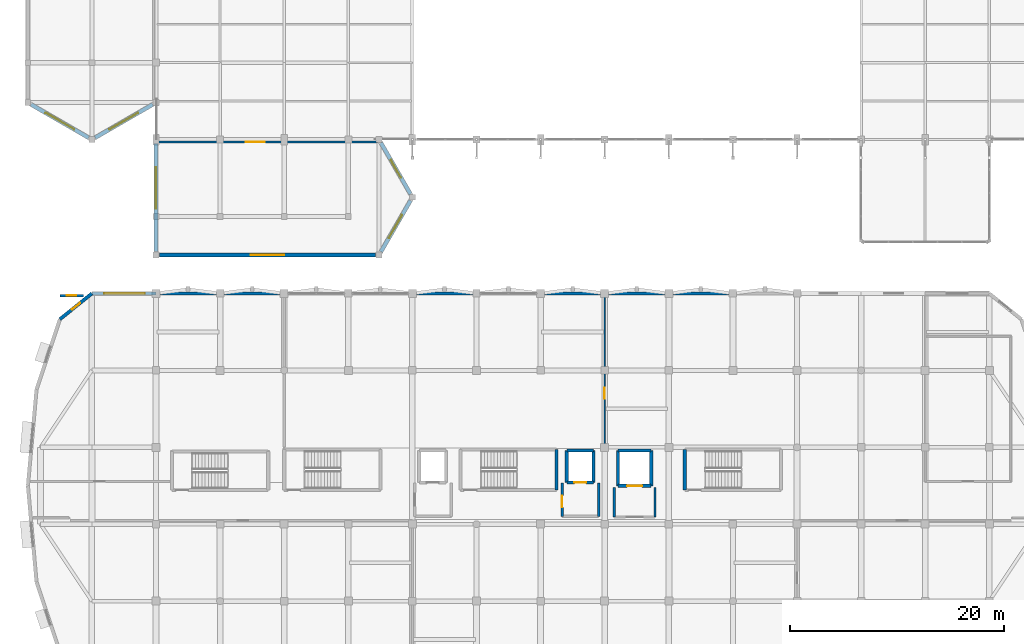
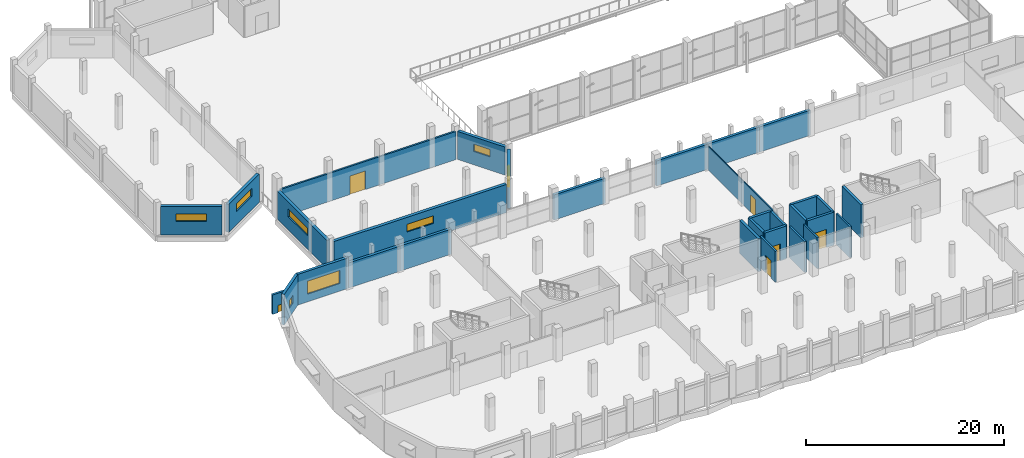
# One storey, part 106 of 127: 31 walls, 8 windows, 6 doors, 14 openings.
"""IFC4 building model written with IfcOpenShell, lengths in metres."""

from ifc_helpers import new_model, si_unit, direction, frame, frame_2d, origin, place, context, subcontext, project, spatial, rectangle, extrude, material, layer, layer_set, type_object, element, fill, save


model = new_model("IFC4")

# Units and contexts
model_context = context("Model", 3, precision=1e-05, world=origin(), true_north=direction((0.0, 1.0)))
body_context = subcontext(model_context, "Body", "Model", "MODEL_VIEW")
ifc_project = project(units=[si_unit("LENGTHUNIT", "METRE"), si_unit("AREAUNIT", "SQUARE_METRE"), si_unit("VOLUMEUNIT", "CUBIC_METRE"), si_unit("PLANEANGLEUNIT", "RADIAN"), si_unit("MASSUNIT", "GRAM", prefix="KILO")], contexts=[model_context])

# Site, building, storey
site_placement = place(None, origin())
site = spatial("IfcSite", under=ifc_project, at=site_placement, CompositionType="ELEMENT")
building_placement = place(site_placement, origin())
building = spatial("IfcBuilding", under=site, at=building_placement, Name="Dunvalen Ferry Terminal", CompositionType="ELEMENT")
storey_placement = place(building_placement, frame((0.0, 0.0, 5.760009765625)))
storey = spatial("IfcBuildingStorey", under=building, at=storey_placement, Name="L01", CompositionType="ELEMENT", Elevation=5.760009765625)

# Wall, opening, window
ifc_material_1 = material(Name="Precast concrete C40/50", Category="concrete")
ifc_layer_1 = layer(ifc_material_1, 0.360107421875, Name="Precast concrete C40/50")
ifc_layer_set_1 = layer_set([ifc_layer_1], Name="Precast concrete C40/50")
wall_type_1 = type_object("IfcWallType", Name="ENV-WL-ANX360", PredefinedType="SOLIDWALL", material=ifc_layer_set_1)
wall_1_placement = place(storey_placement, frame((6.302978515625, 50.574951171875, 0.0), z_axis=(0.0, 0.0, 1.0), x_axis=(0.866025010818, 0.500000680637, 0.0)))
wall_1 = element("IfcWall", 1, at=wall_1_placement, inside=storey, type_object=wall_type_1, Name="L01 V1AW Faceted Precast Wall 01", PredefinedType="SOLIDWALL", context=body_context, shape_type="SweptSolid", body=[
    extrude(rectangle(XDim=6.228515625, YDim=0.360107421875, at=frame_2d((3.1142578125, 0.0))), origin(), (0.0, 0.0, 1.0), 3.469970703125),
])
opening_1_placement = place(wall_1_placement, frame((1.564208984375, 0.0, 1.64990234375)))
opening_1 = element("IfcOpeningElement", 2, at=opening_1_placement, cuts=wall_1, Name="Opening W-14", PredefinedType="OPENING", context=body_context, shape_type="SweptSolid", body=[
    extrude(rectangle(XDim=3.10009765625, YDim=0.949951171875, at=frame_2d((1.550048828125, 0.47509765625))), frame((0.0, 0.18994140625, 0.0), z_axis=(0.0, -1.0, 0.0), x_axis=(1.0, 0.0, 0.0)), (0.0, 0.0, 1.0), 0.380126953125),
])
ifc_material_2 = material(Name="Thermally broken aluminium and double glazing", Category="aluminium")
window_type_1 = type_object("IfcWindowType", Name="ENV-WIN-CLR-14", PartitioningType="SINGLE_PANEL", PredefinedType="WINDOW", material=ifc_material_2)
window_1_placement = place(opening_1_placement, origin())
window_1 = element("IfcWindow", 3, at=window_1_placement, inside=storey, type_object=window_type_1, Name="L01 V1AW Clerestory Window 01", OverallHeight=0.949951171875, OverallWidth=3.10009765625, PartitioningType="SINGLE_PANEL", PredefinedType="WINDOW", context=body_context, shape_type="SweptSolid", body=[
    extrude(rectangle(XDim=3.10009765625, YDim=0.949951171875, at=frame_2d((1.550048828125, 0.47509765625))), frame((0.0, 0.030029296875, 0.0), z_axis=(0.0, -1.0, 0.0), x_axis=(1.0, 0.0, 0.0)), (0.0, 0.0, 1.0), 0.06005859375),
])
fill(opening_1, window_1)

wall_2_placement = place(storey_placement, frame((0.302978515625, 53.689208984375, 0.0), z_axis=(0.0, 0.0, 1.0), x_axis=(0.866025010818, -0.500000680637, 0.0)))
wall_2 = element("IfcWall", 4, at=wall_2_placement, inside=storey, type_object=wall_type_1, Name="L01 V1AW Faceted Precast Wall 06", PredefinedType="SOLIDWALL", context=body_context, shape_type="SweptSolid", body=[
    extrude(rectangle(XDim=6.228515625, YDim=0.360107421875, at=frame_2d((3.1142578125, 0.0))), origin(), (0.0, 0.0, 1.0), 3.469970703125),
])
opening_2_placement = place(wall_2_placement, frame((1.564208984375, 0.0, 1.64990234375)))
opening_2 = element("IfcOpeningElement", 5, at=opening_2_placement, cuts=wall_2, Name="Opening W-14", PredefinedType="OPENING", context=body_context, shape_type="SweptSolid", body=[
    extrude(rectangle(XDim=3.10009765625, YDim=0.949951171875, at=frame_2d((1.550048828125, 0.47509765625))), frame((0.0, 0.18994140625, 0.0), z_axis=(0.0, -1.0, 0.0), x_axis=(1.0, 0.0, 0.0)), (0.0, 0.0, 1.0), 0.380126953125),
])
window_2_placement = place(opening_2_placement, origin())
window_2 = element("IfcWindow", 6, at=window_2_placement, inside=storey, type_object=window_type_1, Name="L01 V1AW Clerestory Window 06", OverallHeight=0.949951171875, OverallWidth=3.10009765625, PartitioningType="SINGLE_PANEL", PredefinedType="WINDOW", context=body_context, shape_type="SweptSolid", body=[
    extrude(rectangle(XDim=3.10009765625, YDim=0.949951171875, at=frame_2d((1.550048828125, 0.47509765625))), frame((0.0, 0.030029296875, 0.0), z_axis=(0.0, -1.0, 0.0), x_axis=(1.0, 0.0, 0.0)), (0.0, 0.0, 1.0), 0.06005859375),
])
fill(opening_2, window_2)

wall_3_placement = place(storey_placement, frame((12.35009765625, 39.60009765625, 0.0), z_axis=(0.0, 0.0, 1.0), x_axis=(1.0, 0.0, 0.0)))
wall_3 = element("IfcWall", 7, at=wall_3_placement, inside=storey, type_object=wall_type_1, Name="L01 V1ASW Faceted Precast Wall 01", PredefinedType="SOLIDWALL", context=body_context, shape_type="SweptSolid", body=[
    extrude(rectangle(XDim=20.18212890625, YDim=0.360107421875, at=frame_2d((10.091064453125, 0.0))), origin(), (0.0, 0.0, 1.0), 3.469970703125),
])
opening_3_placement = place(wall_3_placement, frame((8.541015625, 0.0, 1.64990234375)))
opening_3 = element("IfcOpeningElement", 8, at=opening_3_placement, cuts=wall_3, Name="Opening W-14", PredefinedType="OPENING", context=body_context, shape_type="SweptSolid", body=[
    extrude(rectangle(XDim=3.10009765625, YDim=0.949951171875, at=frame_2d((1.550048828125, 0.47509765625))), frame((0.0, 0.18994140625, 0.0), z_axis=(0.0, -1.0, 0.0), x_axis=(1.0, 0.0, 0.0)), (0.0, 0.0, 1.0), 0.380126953125),
])
window_3_placement = place(opening_3_placement, origin())
window_3 = element("IfcWindow", 9, at=window_3_placement, inside=storey, type_object=window_type_1, Name="L01 V1ASW Clerestory Window 01", OverallHeight=0.949951171875, OverallWidth=3.10009765625, PartitioningType="SINGLE_PANEL", PredefinedType="WINDOW", context=body_context, shape_type="SweptSolid", body=[
    extrude(rectangle(XDim=3.10009765625, YDim=0.949951171875, at=frame_2d((1.550048828125, 0.47509765625))), frame((0.0, 0.030029296875, 0.0), z_axis=(0.0, -1.0, 0.0), x_axis=(1.0, 0.0, 0.0)), (0.0, 0.0, 1.0), 0.06005859375),
])
fill(opening_3, window_3)

wall_4_placement = place(storey_placement, frame((33.057373046875, 39.903076171875, 0.0), z_axis=(0.0, 0.0, 1.0), x_axis=(0.499971886711, 0.866041634391, 0.0)))
wall_4 = element("IfcWall", 10, at=wall_4_placement, inside=storey, type_object=wall_type_1, Name="L01 V1ASW Faceted Precast Wall 02", PredefinedType="SOLIDWALL", context=body_context, shape_type="SweptSolid", body=[
    extrude(rectangle(XDim=5.535400390625, YDim=0.360107421875, at=frame_2d((2.767578125, 0.0))), origin(), (0.0, 0.0, 1.0), 3.469970703125),
])
opening_4_placement = place(wall_4_placement, frame((1.465576171875, 0.0, 1.64990234375)))
opening_4 = element("IfcOpeningElement", 11, at=opening_4_placement, cuts=wall_4, Name="Opening W-15", PredefinedType="OPENING", context=body_context, shape_type="SweptSolid", body=[
    extrude(rectangle(XDim=2.5, YDim=0.89990234375, at=frame_2d((1.25, 0.449951171875))), frame((0.0, 0.18994140625, 0.0), z_axis=(0.0, -1.0, 0.0), x_axis=(1.0, 0.0, 0.0)), (0.0, 0.0, 1.0), 0.380126953125),
])
window_type_2 = type_object("IfcWindowType", Name="ENV-WIN-CLR-15", PartitioningType="SINGLE_PANEL", PredefinedType="WINDOW", material=ifc_material_2)
window_4_placement = place(opening_4_placement, origin())
window_4 = element("IfcWindow", 12, at=window_4_placement, inside=storey, type_object=window_type_2, Name="L01 V1ASW Clerestory Window 02", OverallHeight=0.89990234375, OverallWidth=2.5, PartitioningType="SINGLE_PANEL", PredefinedType="WINDOW", context=body_context, shape_type="SweptSolid", body=[
    extrude(rectangle(XDim=2.5, YDim=0.89990234375, at=frame_2d((1.25, 0.449951171875))), frame((0.0, 0.030029296875, 0.0), z_axis=(0.0, -1.0, 0.0), x_axis=(1.0, 0.0, 0.0)), (0.0, 0.0, 1.0), 0.06005859375),
])
fill(opening_4, window_4)

wall_5_placement = place(storey_placement, frame((35.824951171875, 45.302978515625, 0.0), z_axis=(0.0, 0.0, 1.0), x_axis=(-0.499971886711, 0.866041634391, 0.0)))
wall_5 = element("IfcWall", 13, at=wall_5_placement, inside=storey, type_object=wall_type_1, Name="L01 V1ASW Faceted Precast Wall 03", PredefinedType="SOLIDWALL", context=body_context, shape_type="SweptSolid", body=[
    extrude(rectangle(XDim=5.535400390625, YDim=0.360107421875, at=frame_2d((2.767578125, 0.0))), origin(), (0.0, 0.0, 1.0), 3.469970703125),
])
opening_5_placement = place(wall_5_placement, frame((1.76611328125, 0.0, 1.64990234375)))
opening_5 = element("IfcOpeningElement", 14, at=opening_5_placement, cuts=wall_5, Name="Opening W-16", PredefinedType="OPENING", context=body_context, shape_type="SweptSolid", body=[
    extrude(rectangle(XDim=1.89990234375, YDim=0.89990234375, at=frame_2d((0.949951171875, 0.449951171875))), frame((0.0, 0.18994140625, 0.0), z_axis=(0.0, -1.0, 0.0), x_axis=(1.0, 0.0, 0.0)), (0.0, 0.0, 1.0), 0.380126953125),
])
window_type_3 = type_object("IfcWindowType", Name="ENV-WIN-CLR-16", PartitioningType="SINGLE_PANEL", PredefinedType="WINDOW", material=ifc_material_2)
window_5_placement = place(opening_5_placement, origin())
window_5 = element("IfcWindow", 15, at=window_5_placement, inside=storey, type_object=window_type_3, Name="L01 V1ASW Clerestory Window 03", OverallHeight=0.89990234375, OverallWidth=1.89990234375, PartitioningType="SINGLE_PANEL", PredefinedType="WINDOW", context=body_context, shape_type="SweptSolid", body=[
    extrude(rectangle(XDim=1.89990234375, YDim=0.89990234375, at=frame_2d((0.949951171875, 0.449951171875))), frame((0.0, 0.030029296875, 0.0), z_axis=(0.0, -1.0, 0.0), x_axis=(1.0, 0.0, 0.0)), (0.0, 0.0, 1.0), 0.06005859375),
])
fill(opening_5, window_5)

wall_6_placement = place(storey_placement, frame((12.0, 50.050048828125, 0.0), z_axis=(0.0, 0.0, 1.0), x_axis=(0.0, -1.0, 0.0)))
wall_6 = element("IfcWall", 16, at=wall_6_placement, inside=storey, type_object=wall_type_1, Name="L01 V1ASW Faceted Precast Wall 05", PredefinedType="SOLIDWALL", context=body_context, shape_type="SweptSolid", body=[
    extrude(rectangle(XDim=10.10009765625, YDim=0.360107421875, at=frame_2d((5.050048828125, 0.0))), origin(), (0.0, 0.0, 1.0), 3.469970703125),
])
opening_6_placement = place(wall_6_placement, frame((2.24072265625, 0.0, 1.64990234375)))
opening_6 = element("IfcOpeningElement", 17, at=opening_6_placement, cuts=wall_6, Name="Opening W-13", PredefinedType="OPENING", context=body_context, shape_type="SweptSolid", body=[
    extrude(rectangle(XDim=3.89990234375, YDim=0.949951171875, at=frame_2d((1.949951171875, 0.47509765625))), frame((0.0, 0.18994140625, 0.0), z_axis=(0.0, -1.0, 0.0), x_axis=(1.0, 0.0, 0.0)), (0.0, 0.0, 1.0), 0.380126953125),
])
window_type_4 = type_object("IfcWindowType", Name="ENV-WIN-CLR-13", PartitioningType="SINGLE_PANEL", PredefinedType="WINDOW", material=ifc_material_2)
window_6_placement = place(opening_6_placement, origin())
window_6 = element("IfcWindow", 18, at=window_6_placement, inside=storey, type_object=window_type_4, Name="L01 V1ASW Clerestory Window 05", OverallHeight=0.949951171875, OverallWidth=3.89990234375, PartitioningType="SINGLE_PANEL", PredefinedType="WINDOW", context=body_context, shape_type="SweptSolid", body=[
    extrude(rectangle(XDim=3.89990234375, YDim=0.949951171875, at=frame_2d((1.949951171875, 0.47509765625))), frame((0.0, 0.030029296875, 0.0), z_axis=(0.0, -1.0, 0.0), x_axis=(1.0, 0.0, 0.0)), (0.0, 0.0, 1.0), 0.06005859375),
])
fill(opening_6, window_6)

# Wall, opening, door
ifc_material_3 = material(Name="Concrete C40/50", Category="concrete")
ifc_layer_2 = layer(ifc_material_3, 0.25, Name="Concrete C40/50")
ifc_layer_set_2 = layer_set([ifc_layer_2], Name="Concrete C40/50")
wall_type_2 = type_object("IfcWallType", Name="ENV-WL-OVR250", PredefinedType="SOLIDWALL", material=ifc_layer_set_2)
wall_7_placement = place(storey_placement, frame((3.0, 35.800048828125, 0.0), z_axis=(0.0, 0.0, 1.0), x_axis=(1.0, 0.0, 0.0)))
wall_7 = element("IfcWall", 19, at=wall_7_placement, inside=storey, type_object=wall_type_2, Name="L01 Marine Services Riser Bulkhead", PredefinedType="SOLIDWALL", context=body_context, shape_type="SweptSolid", body=[
    extrude(rectangle(XDim=2.199951171875, YDim=0.25, at=frame_2d((1.10009765625, 0.0))), origin(), (0.0, 0.0, 1.0), 2.39990234375),
])
opening_7_placement = place(wall_7_placement, frame((0.64990234375, 0.0, 0.0)))
opening_7 = element("IfcOpeningElement", 20, at=opening_7_placement, cuts=wall_7, Name="Opening TD-01", PredefinedType="OPENING", context=body_context, shape_type="SweptSolid", body=[
    extrude(rectangle(XDim=0.89990234375, YDim=0.89990234375, at=frame_2d((0.449951171875, 0.449951171875))), frame((0.0, 0.135009765625, 0.0), z_axis=(0.0, -1.0, 0.0), x_axis=(1.0, 0.0, 0.0)), (0.0, 0.0, 1.0), 0.27001953125),
])
ifc_material_4 = material(Name="Marine grade powder-coated aluminium and laminated glass", Category="aluminium")
door_type_1 = type_object("IfcDoorType", Name="ENV-DR-TRP-900", OperationType="SINGLE_SWING_LEFT", PredefinedType="TRAPDOOR", material=ifc_material_4)
door_1_placement = place(opening_7_placement, origin())
door_1 = element("IfcDoor", 21, at=door_1_placement, inside=storey, type_object=door_type_1, Name="L01 Riser Maintenance Access Trapdoor", OperationType="SINGLE_SWING_LEFT", OverallHeight=0.89990234375, OverallWidth=0.89990234375, PredefinedType="TRAPDOOR", context=body_context, shape_type="SweptSolid", body=[
    extrude(rectangle(XDim=0.89990234375, YDim=0.89990234375, at=frame_2d((0.449951171875, 0.449951171875))), frame((0.0, 0.02490234375, 0.0), z_axis=(0.0, -1.0, 0.0), x_axis=(1.0, 0.0, 0.0)), (0.0, 0.0, 1.0), 0.050048828125),
])
fill(opening_7, door_1)

# Walls
ifc_layer_3 = layer(ifc_material_1, 0.320068359375, Name="Precast concrete C40/50")
ifc_layer_set_3 = layer_set([ifc_layer_3], Name="Precast concrete C40/50")
wall_type_3 = type_object("IfcWallType", Name="ENV-WL-SPN320", PredefinedType="SOLIDWALL", material=ifc_layer_set_3)
for number, where, z_axis, x_axis, name in (
    (22, (66.0, 36.0, 0.0), (0.0, 0.0, 1.0), (-1.0, 0.0, 0.0), "L01 Streamline Moderne Facade Wall 08.05"),
    (23, (60.0, 36.0, 0.0), (0.0, 0.0, 1.0), (-1.0, 0.0, 0.0), "L01 Streamline Moderne Facade Wall 08.06"),
    (24, (54.0, 36.0, 0.0), (0.0, 0.0, 1.0), (-1.0, 0.0, 0.0), "L01 Streamline Moderne Facade Wall 08.07"),
    (25, (42.0, 36.0, 0.0), (0.0, 0.0, 1.0), (-1.0, 0.0, 0.0), "L01 Streamline Moderne Facade Wall 08.09"),
    (26, (24.0, 36.0, 0.0), (0.0, 0.0, 1.0), (-1.0, 0.0, 0.0), "L01 Streamline Moderne Facade Wall 08.12"),
    (27, (18.0, 36.0, 0.0), (0.0, 0.0, 1.0), (-1.0, 0.0, 0.0), "L01 Streamline Moderne Facade Wall 08.13"),
):
    element("IfcWall", number, at=place(storey_placement, frame(where, z_axis=z_axis, x_axis=x_axis)), inside=storey, type_object=wall_type_3, Name=name, PredefinedType="SOLIDWALL", context=body_context, shape_type="SweptSolid", body=[
        extrude(rectangle(XDim=6.0, YDim=0.320068359375, at=frame_2d((3.0, 0.0))), origin(), (0.0, 0.0, 1.0), 3.110107421875),
    ])

# Wall, opening, window
wall_8_placement = place(storey_placement, frame((12.0, 36.0, 0.0), z_axis=(0.0, 0.0, 1.0), x_axis=(-1.0, 0.0, 0.0)))
wall_8 = element("IfcWall", 28, at=wall_8_placement, inside=storey, type_object=wall_type_3, Name="L01 Streamline Moderne Facade Wall 08.14", PredefinedType="SOLIDWALL", context=body_context, shape_type="SweptSolid", body=[
    extrude(rectangle(XDim=6.0, YDim=0.320068359375, at=frame_2d((3.0, 0.0))), origin(), (0.0, 0.0, 1.0), 3.780029296875),
])
opening_8_placement = place(wall_8_placement, frame((1.048095703125, 0.0, 0.949951171875)))
opening_8 = element("IfcOpeningElement", 29, at=opening_8_placement, cuts=wall_8, Name="Opening W-02", PredefinedType="OPENING", context=body_context, shape_type="SweptSolid", body=[
    extrude(rectangle(XDim=3.800048828125, YDim=1.60009765625, at=frame_2d((1.89990234375, 0.800048828125))), frame((0.0, 0.169921875, 0.0), z_axis=(0.0, -1.0, 0.0), x_axis=(1.0, 0.0, 0.0)), (0.0, 0.0, 1.0), 0.340087890625),
])
window_type_5 = type_object("IfcWindowType", Name="ENV-WIN-RIB-02", PartitioningType="SINGLE_PANEL", PredefinedType="WINDOW", material=ifc_material_2)
window_7_placement = place(opening_8_placement, origin())
window_7 = element("IfcWindow", 30, at=window_7_placement, inside=storey, type_object=window_type_5, Name="L01 Streamline Ribbon Window 08.14", OverallHeight=1.60009765625, OverallWidth=3.800048828125, PartitioningType="SINGLE_PANEL", PredefinedType="WINDOW", context=body_context, shape_type="SweptSolid", body=[
    extrude(rectangle(XDim=3.800048828125, YDim=1.60009765625, at=frame_2d((1.89990234375, 0.800048828125))), frame((0.0, 0.030029296875, 0.0), z_axis=(0.0, -1.0, 0.0), x_axis=(1.0, 0.0, 0.0)), (0.0, 0.0, 1.0), 0.06005859375),
])
fill(opening_8, window_7)

wall_9_placement = place(storey_placement, frame((6.0, 36.0, 0.0), z_axis=(0.0, 0.0, 1.0), x_axis=(-0.779393889884, -0.626534248395, 0.0)))
wall_9 = element("IfcWall", 31, at=wall_9_placement, inside=storey, type_object=wall_type_3, Name="L01 Streamline Moderne Facade Wall 09.01", PredefinedType="SOLIDWALL", context=body_context, shape_type="SweptSolid", body=[
    extrude(rectangle(XDim=3.84912109375, YDim=0.320068359375, at=frame_2d((1.924560546875, 0.0))), origin(), (0.0, 0.0, 1.0), 3.780029296875),
])
opening_9_placement = place(wall_9_placement, frame((1.449462890625, 0.0, 1.14990234375)))
opening_9 = element("IfcOpeningElement", 32, at=opening_9_placement, cuts=wall_9, Name="Opening W-43", PredefinedType="OPENING", context=body_context, shape_type="SweptSolid", body=[
    extrude(rectangle(XDim=0.949951171875, YDim=0.949951171875, at=frame_2d((0.47509765625, 0.47509765625))), frame((0.0, 0.169921875, 0.0), z_axis=(0.0, -1.0, 0.0), x_axis=(1.0, 0.0, 0.0)), (0.0, 0.0, 1.0), 0.340087890625),
])
window_type_6 = type_object("IfcWindowType", Name="ENV-WIN-PRT-43", PartitioningType="SINGLE_PANEL", PredefinedType="WINDOW", material=ifc_material_2)
window_8_placement = place(opening_9_placement, origin())
window_8 = element("IfcWindow", 33, at=window_8_placement, inside=storey, type_object=window_type_6, Name="L01 Streamline Ribbon Window 09.01", OverallHeight=0.949951171875, OverallWidth=0.949951171875, PartitioningType="SINGLE_PANEL", PredefinedType="WINDOW", context=body_context, shape_type="SweptSolid", body=[
    extrude(rectangle(XDim=0.949951171875, YDim=0.949951171875, at=frame_2d((0.47509765625, 0.47509765625))), frame((0.0, 0.030029296875, 0.0), z_axis=(0.0, -1.0, 0.0), x_axis=(1.0, 0.0, 0.0)), (0.0, 0.0, 1.0), 0.06005859375),
])
fill(opening_9, window_8)

# Walls
ifc_material_5 = material(Name="Autoclaved aerated concrete blockwork", Category="masonry")
ifc_layer_4 = layer(ifc_material_5, 0.199951171875, Name="Autoclaved aerated concrete blockwork")
ifc_layer_set_4 = layer_set([ifc_layer_4], Name="Autoclaved aerated concrete blockwork")
wall_type_4 = type_object("IfcWallType", Name="INT-WL-CMP200", PredefinedType="PARTITIONING", material=ifc_layer_set_4)
for number, where, z_axis, x_axis, name in (
    (34, (54.889892578125, 17.860107421875, 0.0), (0.0, 0.0, 1.0), (0.0, -1.0, 0.0), "L01 L01 Lift Lobby LG-01 Partition 1"),
    (35, (58.7099609375, 15.090087890625, 0.0), (0.0, 0.0, 1.0), (0.0, 1.0, 0.0), "L01 L01 Lift Lobby LG-01 Partition 3"),
):
    element("IfcWall", number, at=place(storey_placement, frame(where, z_axis=z_axis, x_axis=x_axis)), inside=storey, type_object=wall_type_4, Name=name, PredefinedType="PARTITIONING", context=body_context, shape_type="SweptSolid", body=[
        extrude(rectangle(XDim=2.77001953125, YDim=0.199951171875, at=frame_2d((1.385009765625, 0.0))), origin(), (0.0, 0.0, 1.0), 3.820068359375),
    ])

# Wall, opening, door
wall_10_placement = place(storey_placement, frame((32.75537109375, 50.179931640625, 0.0), z_axis=(0.0, 0.0, 1.0), x_axis=(-1.0, 0.0, 0.0)))
wall_10 = element("IfcWall", 36, at=wall_10_placement, inside=storey, type_object=wall_type_4, Name="L01 L01 Upper Passenger Security Search Hall Partition 1", PredefinedType="PARTITIONING", context=body_context, shape_type="SweptSolid", body=[
    extrude(rectangle(XDim=20.535400390625, YDim=0.199951171875, at=frame_2d((10.267578125, 0.0))), origin(), (0.0, 0.0, 1.0), 3.469970703125),
])
opening_10_placement = place(wall_10_placement, frame((10.5712890625, 0.0, 0.0)))
opening_10 = element("IfcOpeningElement", 37, at=opening_10_placement, cuts=wall_10, Name="Opening ID-07", PredefinedType="OPENING", context=body_context, shape_type="SweptSolid", body=[
    extrude(rectangle(XDim=1.800048828125, YDim=2.300048828125, at=frame_2d((0.89990234375, 1.14990234375))), frame((0.0, 0.10986328125, 0.0), z_axis=(0.0, -1.0, 0.0), x_axis=(1.0, 0.0, 0.0)), (0.0, 0.0, 1.0), 0.219970703125),
])
ifc_material_6 = material(Name="Thermally broken aluminium fire door", Category="aluminium")
door_type_2 = type_object("IfcDoorType", Name="INT-DR-ANX-1800", OperationType="DOUBLE_SWING_LEFT", PredefinedType="DOOR", material=ifc_material_6)
door_2_placement = place(opening_10_placement, origin())
door_2 = element("IfcDoor", 38, at=door_2_placement, inside=storey, type_object=door_type_2, Name="L01 Upper Passenger Security Search Hall Door", OperationType="DOUBLE_SWING_LEFT", OverallHeight=2.300048828125, OverallWidth=1.800048828125, PredefinedType="DOOR", context=body_context, shape_type="SweptSolid", body=[
    extrude(rectangle(XDim=1.800048828125, YDim=2.300048828125, at=frame_2d((0.89990234375, 1.14990234375))), frame((0.0, 0.02490234375, 0.0), z_axis=(0.0, -1.0, 0.0), x_axis=(1.0, 0.0, 0.0)), (0.0, 0.0, 1.0), 0.050048828125),
])
fill(opening_10, door_2)

ifc_material_7 = material(Name="Concrete C35/45", Category="concrete")
ifc_layer_5 = layer(ifc_material_7, 0.219970703125, Name="Concrete C35/45")
ifc_layer_set_5 = layer_set([ifc_layer_5], Name="Concrete C35/45")
wall_type_5 = type_object("IfcWallType", Name="INT-WL-CMP220", PredefinedType="SOLIDWALL", material=ifc_layer_set_5)
wall_11_placement = place(storey_placement, frame((50.02001953125, 18.25, 0.0), z_axis=(0.0, 0.0, 1.0), x_axis=(0.0, -1.0, 0.0)))
wall_11 = element("IfcWall", 39, at=wall_11_placement, inside=storey, type_object=wall_type_5, Name="L01 L01 Firefighting Lift Lobby LF-02 Partition 2", PredefinedType="SOLIDWALL", context=body_context, shape_type="SweptSolid", body=[
    extrude(rectangle(XDim=3.110107421875, YDim=0.219970703125, at=frame_2d((1.55517578125, 0.0))), origin(), (0.0, 0.0, 1.0), 3.820068359375),
])
opening_11_placement = place(wall_11_placement, frame((1.171142578125, 0.0, 0.0)))
opening_11 = element("IfcOpeningElement", 40, at=opening_11_placement, cuts=wall_11, Name="Opening ID-03", PredefinedType="OPENING", context=body_context, shape_type="SweptSolid", body=[
    extrude(rectangle(XDim=1.10009765625, YDim=2.14990234375, at=frame_2d((0.550048828125, 1.074951171875))), frame((0.0, 0.1201171875, 0.0), z_axis=(0.0, -1.0, 0.0), x_axis=(1.0, 0.0, 0.0)), (0.0, 0.0, 1.0), 0.239990234375),
])
ifc_material_8 = material(Name="Powder-coated steel fire door", Category="steel")
door_type_3 = type_object("IfcDoorType", Name="INT-DR-FFL-1100", OperationType="NOTDEFINED", PredefinedType="DOOR", material=ifc_material_8)
door_3_placement = place(opening_11_placement, origin())
door_3 = element("IfcDoor", 41, at=door_3_placement, inside=storey, type_object=door_type_3, Name="L01 Firefighting Lift Lobby LF-02 Door", OperationType="SINGLE_SWING_RIGHT", OverallHeight=2.14990234375, OverallWidth=1.10009765625, PredefinedType="DOOR", context=body_context, shape_type="SweptSolid", body=[
    extrude(rectangle(XDim=1.10009765625, YDim=2.14990234375, at=frame_2d((0.550048828125, 1.074951171875))), frame((0.0, 0.02490234375, 0.0), z_axis=(0.0, -1.0, 0.0), x_axis=(1.0, 0.0, 0.0)), (0.0, 0.0, 1.0), 0.050048828125),
])
fill(opening_11, door_3)

# Wall
wall_12_placement = place(storey_placement, frame((53.43994140625, 15.139892578125, 0.0), z_axis=(0.0, 0.0, 1.0), x_axis=(0.0, 1.0, 0.0)))
element("IfcWall", 42, at=wall_12_placement, inside=storey, type_object=wall_type_5, Name="L01 L01 Firefighting Lift Lobby LF-02 Partition 4", PredefinedType="SOLIDWALL", context=body_context, shape_type="SweptSolid", body=[
    extrude(rectangle(XDim=3.110107421875, YDim=0.219970703125, at=frame_2d((1.55517578125, 0.0))), origin(), (0.0, 0.0, 1.0), 3.820068359375),
])

# Wall, opening, door
ifc_material_9 = material(Name="Framed acoustic glass partition", Category="glass")
ifc_layer_6 = layer(ifc_material_9, 0.10498046875, Name="Framed acoustic glass partition")
ifc_layer_set_6 = layer_set([ifc_layer_6], Name="Framed acoustic glass partition")
wall_type_6 = type_object("IfcWallType", Name="INT-WL-GLZ105", PredefinedType="PARTITIONING", material=ifc_layer_set_6)
wall_13_placement = place(storey_placement, frame((54.0, 35.780029296875, 0.0), z_axis=(0.0, 0.0, 1.0), x_axis=(0.0, -1.0, 0.0)))
wall_13 = element("IfcWall", 43, at=wall_13_placement, inside=storey, type_object=wall_type_6, Name="L01 L01 Port Emergency Simulation and Training Room Partition 2", PredefinedType="PARTITIONING", context=body_context, shape_type="SweptSolid", body=[
    extrude(rectangle(XDim=14.179931640625, YDim=0.10498046875, at=frame_2d((7.08984375, 0.0))), origin(), (0.0, 0.0, 1.0), 2.9599609375),
])
opening_12_placement = place(wall_13_placement, frame((8.623046875, 0.0, 0.0)))
opening_12 = element("IfcOpeningElement", 44, at=opening_12_placement, cuts=wall_13, Name="Opening ID-10", PredefinedType="OPENING", context=body_context, shape_type="SweptSolid", body=[
    extrude(rectangle(XDim=1.0, YDim=2.1201171875, at=frame_2d((0.5, 1.06005859375))), frame((0.0, 0.0625, 0.0), z_axis=(0.0, -1.0, 0.0), x_axis=(1.0, 0.0, 0.0)), (0.0, 0.0, 1.0), 0.125),
])
ifc_material_10 = material(Name="FSC European oak acoustic fire door", Category="wood")
door_type_4 = type_object("IfcDoorType", Name="INT-DR-OFF-1000", OperationType="NOTDEFINED", PredefinedType="DOOR", material=ifc_material_10)
door_4_placement = place(opening_12_placement, origin())
door_4 = element("IfcDoor", 45, at=door_4_placement, inside=storey, type_object=door_type_4, Name="L01 Port Emergency Simulation and Training Room Door", OperationType="SINGLE_SWING_RIGHT", OverallHeight=2.1201171875, OverallWidth=1.0, PredefinedType="DOOR", context=body_context, shape_type="SweptSolid", body=[
    extrude(rectangle(XDim=1.0, YDim=2.1201171875, at=frame_2d((0.5, 1.06005859375))), frame((0.0, 0.02490234375, 0.0), z_axis=(0.0, -1.0, 0.0), x_axis=(1.0, 0.0, 0.0)), (0.0, 0.0, 1.0), 0.050048828125),
])
fill(opening_12, door_4)

# Walls
ifc_layer_7 = layer(ifc_material_3, 0.300048828125, Name="Concrete C40/50")
ifc_layer_set_7 = layer_set([ifc_layer_7], Name="Concrete C40/50")
wall_type_7 = type_object("IfcWallType", Name="STR-WL-SHR300", PredefinedType="SHEAR", material=ifc_layer_set_7)
for number, where, z_axis, x_axis, name in (
    (46, (49.5, 17.60009765625, 0.0), (0.0, 0.0, 1.0), (0.0, 1.0, 0.0), "L01 ST2 Core East Shear Wall"),
    (47, (61.5, 17.60009765625, 0.0), (0.0, 0.0, 1.0), (0.0, 1.0, 0.0), "L01 ST3 Core West Shear Wall"),
):
    element("IfcWall", number, at=place(storey_placement, frame(where, z_axis=z_axis, x_axis=x_axis)), inside=storey, type_object=wall_type_7, Name=name, PredefinedType="SHEAR", context=body_context, shape_type="SweptSolid", body=[
        extrude(rectangle(XDim=3.7998046875, YDim=0.300048828125, at=frame_2d((1.89990234375, 0.0))), origin(), (0.0, 0.0, 1.0), 4.080078125),
    ])

# Wall, opening, door
wall_14_placement = place(storey_placement, frame((50.449951171875, 18.300048828125, 0.0), z_axis=(0.0, 0.0, 1.0), x_axis=(1.0, 0.0, 0.0)))
wall_14 = element("IfcWall", 48, at=wall_14_placement, inside=storey, type_object=wall_type_7, Name="L01 LF-02 Lift Shaft S Wall", PredefinedType="SHEAR", context=body_context, shape_type="SweptSolid", body=[
    extrude(rectangle(XDim=2.5, YDim=0.300048828125, at=frame_2d((1.25, 0.0))), origin(), (0.0, 0.0, 1.0), 4.080078125),
])
opening_13_placement = place(wall_14_placement, frame((0.699951171875, 0.0, 0.0)))
opening_13 = element("IfcOpeningElement", 49, at=opening_13_placement, cuts=wall_14, Name="Opening LD-01", PredefinedType="OPENING", context=body_context, shape_type="SweptSolid", body=[
    extrude(rectangle(XDim=1.10009765625, YDim=2.10009765625, at=frame_2d((0.550048828125, 1.050048828125))), frame((0.0, 0.16015625, 0.0), z_axis=(0.0, -1.0, 0.0), x_axis=(1.0, 0.0, 0.0)), (0.0, 0.0, 1.0), 0.320068359375),
])
ifc_material_11 = material(Name="Brushed 316 stainless steel", Category="steel")
door_type_5 = type_object("IfcDoorType", Name="INT-DR-LFT-1100", OperationType="SLIDING_TO_LEFT", PredefinedType="DOOR", material=ifc_material_11)
door_5_placement = place(opening_13_placement, origin())
door_5 = element("IfcDoor", 50, at=door_5_placement, inside=storey, type_object=door_type_5, Name="L01 LF-02 Lift Sliding Landing Door", OperationType="SLIDING_TO_LEFT", OverallHeight=2.10009765625, OverallWidth=1.10009765625, PredefinedType="DOOR", context=body_context, shape_type="SweptSolid", body=[
    extrude(rectangle(XDim=1.10009765625, YDim=2.10009765625, at=frame_2d((0.550048828125, 1.050048828125))), frame((0.0, 0.02490234375, 0.0), z_axis=(0.0, -1.0, 0.0), x_axis=(1.0, 0.0, 0.0)), (0.0, 0.0, 1.0), 0.050048828125),
])
fill(opening_13, door_5)

# Walls
wall_15_placement = place(storey_placement, frame((50.449951171875, 21.300048828125, 0.0), z_axis=(0.0, 0.0, 1.0), x_axis=(1.0, 0.0, 0.0)))
element("IfcWall", 51, at=wall_15_placement, inside=storey, type_object=wall_type_7, Name="L01 LF-02 Lift Shaft N Wall", PredefinedType="SHEAR", context=body_context, shape_type="SweptSolid", body=[
    extrude(rectangle(XDim=2.5, YDim=0.300048828125, at=frame_2d((1.25, 0.0))), origin(), (0.0, 0.0, 1.0), 4.080078125),
])
for number, where, z_axis, x_axis, name in (
    (52, (50.449951171875, 18.300048828125, 0.0), (0.0, 0.0, 1.0), (0.0, 1.0, 0.0), "L01 LF-02 Lift Shaft W Wall"),
    (53, (52.949951171875, 18.300048828125, 0.0), (0.0, 0.0, 1.0), (0.0, 1.0, 0.0), "L01 LF-02 Lift Shaft E Wall"),
):
    element("IfcWall", number, at=place(storey_placement, frame(where, z_axis=z_axis, x_axis=x_axis)), inside=storey, type_object=wall_type_7, Name=name, PredefinedType="SHEAR", context=body_context, shape_type="SweptSolid", body=[
        extrude(rectangle(XDim=3.0, YDim=0.300048828125, at=frame_2d((1.5, 0.0))), origin(), (0.0, 0.0, 1.0), 4.080078125),
    ])

# Wall, opening, door
wall_16_placement = place(storey_placement, frame((55.25, 18.0, 0.0), z_axis=(0.0, 0.0, 1.0), x_axis=(1.0, 0.0, 0.0)))
wall_16 = element("IfcWall", 54, at=wall_16_placement, inside=storey, type_object=wall_type_7, Name="L01 LG-01 Lift Shaft S Wall", PredefinedType="SHEAR", context=body_context, shape_type="SweptSolid", body=[
    extrude(rectangle(XDim=3.10009765625, YDim=0.300048828125, at=frame_2d((1.550048828125, 0.0))), origin(), (0.0, 0.0, 1.0), 4.080078125),
])
opening_14_placement = place(wall_16_placement, frame((0.85009765625, 0.0, 0.0)))
opening_14 = element("IfcOpeningElement", 55, at=opening_14_placement, cuts=wall_16, Name="Opening LD-03", PredefinedType="OPENING", context=body_context, shape_type="SweptSolid", body=[
    extrude(rectangle(XDim=1.39990234375, YDim=2.25, at=frame_2d((0.699951171875, 1.125))), frame((0.0, 0.16015625, 0.0), z_axis=(0.0, -1.0, 0.0), x_axis=(1.0, 0.0, 0.0)), (0.0, 0.0, 1.0), 0.320068359375),
])
door_type_6 = type_object("IfcDoorType", Name="INT-DR-LFT-1400", OperationType="SLIDING_TO_LEFT", PredefinedType="DOOR", material=ifc_material_11)
door_6_placement = place(opening_14_placement, origin())
door_6 = element("IfcDoor", 56, at=door_6_placement, inside=storey, type_object=door_type_6, Name="L01 LG-01 Lift Sliding Landing Door", OperationType="SLIDING_TO_LEFT", OverallHeight=2.25, OverallWidth=1.39990234375, PredefinedType="DOOR", context=body_context, shape_type="SweptSolid", body=[
    extrude(rectangle(XDim=1.39990234375, YDim=2.25, at=frame_2d((0.699951171875, 1.125))), frame((0.0, 0.02490234375, 0.0), z_axis=(0.0, -1.0, 0.0), x_axis=(1.0, 0.0, 0.0)), (0.0, 0.0, 1.0), 0.050048828125),
])
fill(opening_14, door_6)

# Walls
wall_17_placement = place(storey_placement, frame((55.25, 21.300048828125, 0.0), z_axis=(0.0, 0.0, 1.0), x_axis=(1.0, 0.0, 0.0)))
element("IfcWall", 57, at=wall_17_placement, inside=storey, type_object=wall_type_7, Name="L01 LG-01 Lift Shaft N Wall", PredefinedType="SHEAR", context=body_context, shape_type="SweptSolid", body=[
    extrude(rectangle(XDim=3.10009765625, YDim=0.300048828125, at=frame_2d((1.550048828125, 0.0))), origin(), (0.0, 0.0, 1.0), 4.080078125),
])
for number, where, z_axis, x_axis, name in (
    (58, (55.25, 18.0, 0.0), (0.0, 0.0, 1.0), (0.0, 1.0, 0.0), "L01 LG-01 Lift Shaft W Wall"),
    (59, (58.35009765625, 18.0, 0.0), (0.0, 0.0, 1.0), (0.0, 1.0, 0.0), "L01 LG-01 Lift Shaft E Wall"),
):
    element("IfcWall", number, at=place(storey_placement, frame(where, z_axis=z_axis, x_axis=x_axis)), inside=storey, type_object=wall_type_7, Name=name, PredefinedType="SHEAR", context=body_context, shape_type="SweptSolid", body=[
        extrude(rectangle(XDim=3.300048828125, YDim=0.300048828125, at=frame_2d((1.64990234375, 0.0))), origin(), (0.0, 0.0, 1.0), 4.080078125),
    ])

save(model, "model.ifc")
